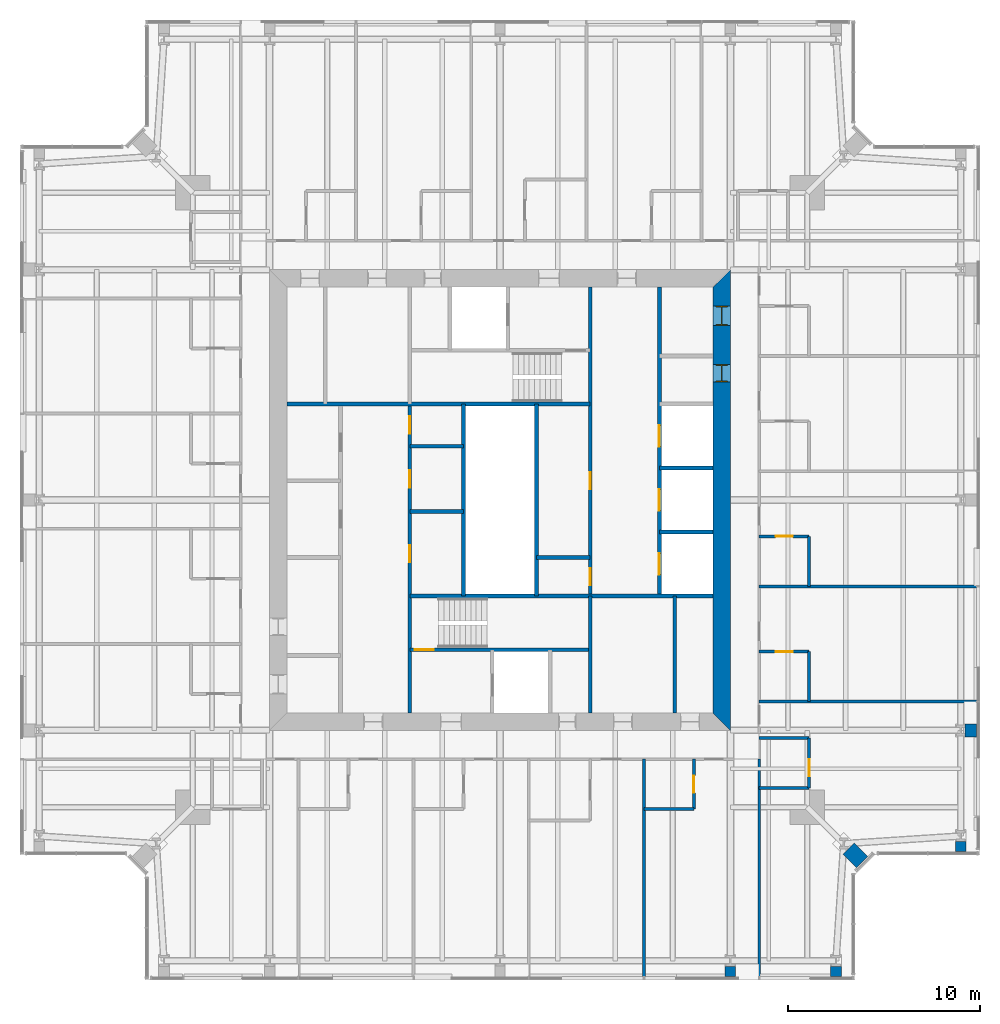
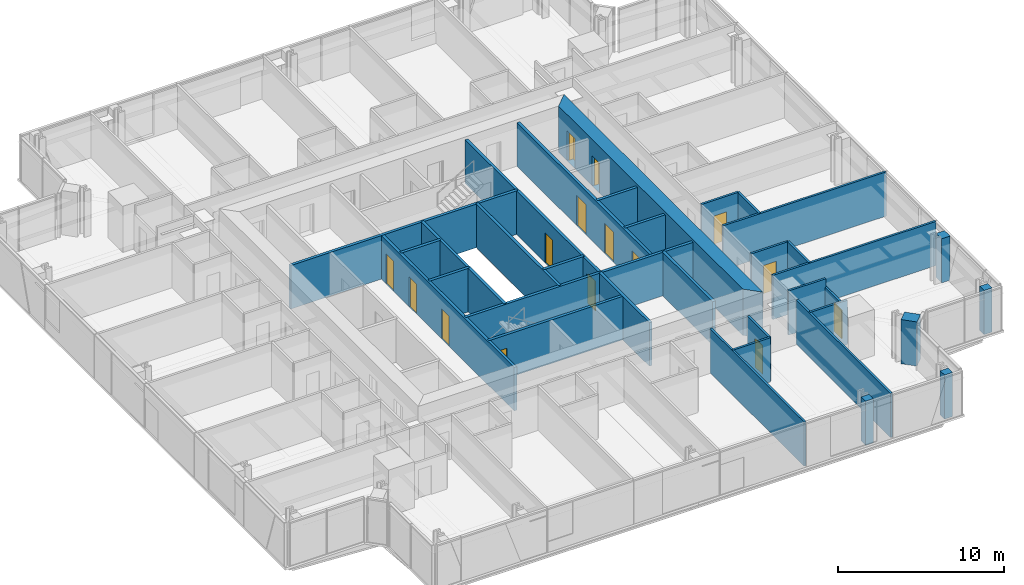
# One storey, part 13 of 20: 34 walls, 15 doors, 15 openings.
"""IFC4 building model written with IfcOpenShell, lengths in metres."""

from ifc_helpers import new_model, si_unit, direction, frame, frame_2d, origin, place, context, subcontext, project, spatial, polyline, rectangle, outline, extrude, material, layer, layer_set, type_object, element, fill, save


model = new_model("IFC4")

# Units and contexts
model_context = context("Model", 3, precision=1e-05, world=origin(), true_north=direction((0.0, 1.0)))
body_context = subcontext(model_context, "Body", "Model", "MODEL_VIEW")
ifc_project = project(units=[si_unit("LENGTHUNIT", "METRE"), si_unit("AREAUNIT", "SQUARE_METRE"), si_unit("VOLUMEUNIT", "CUBIC_METRE"), si_unit("PLANEANGLEUNIT", "RADIAN"), si_unit("MASSUNIT", "GRAM", prefix="KILO")], contexts=[model_context])

# Site, building, storey
site_placement = place(None, origin())
site = spatial("IfcSite", under=ifc_project, at=site_placement, CompositionType="ELEMENT")
building_placement = place(site_placement, origin())
building = spatial("IfcBuilding", under=site, at=building_placement, Name="Fenwick Lantern Interchange", CompositionType="ELEMENT")
storey_placement = place(building_placement, frame((0.0, 0.0, 245.800048828125)))
storey = spatial("IfcBuildingStorey", under=building, at=storey_placement, Name="L57", CompositionType="ELEMENT", Elevation=245.800048828125)

# Walls
ifc_material_1 = material(Name="Fire-rated gypsum board encasement on steel studs, 2 hour", Category="steel")
ifc_layer_1 = layer(ifc_material_1, 0.554931640625)
ifc_layer_set_1 = layer_set([ifc_layer_1], Name="COLUMN PIER 555")
wall_type_1 = type_object("IfcWallType", Name="COLUMN PIER 555", PredefinedType="PARTITIONING", material=ifc_layer_set_1)
for number, where, z_axis, x_axis, name in (
    (1, (37.0, 0.18994140625, 0.0), (0.0, 0.0, 1.0), (0.0, 1.0, 0.0), "L57/W/PIER/CS4"),
    (2, (42.5, 0.18994140625, 0.0), (0.0, 0.0, 1.0), (0.0, 1.0, 0.0), "L57/W/PIER/CS5"),
    (3, (49.0, 6.68994140625, 0.0), (0.0, 0.0, 1.0), (0.0, 1.0, 0.0), "L57/W/PIER/CE1"),
):
    element("IfcWall", number, at=place(storey_placement, frame(where, z_axis=z_axis, x_axis=x_axis)), inside=storey, type_object=wall_type_1, Name=name, PredefinedType="PARTITIONING", context=body_context, shape_type="SweptSolid", body=[
        extrude(rectangle(XDim=0.525634765625, YDim=0.554931640625, at=frame_2d((0.2626953125, 0.0))), origin(), (0.0, 0.0, 1.0), 3.25),
    ])
ifc_layer_2 = layer(ifc_material_1, 0.6689453125)
ifc_layer_set_2 = layer_set([ifc_layer_2], Name="COLUMN PIER 669")
wall_type_2 = type_object("IfcWallType", Name="COLUMN PIER 669", PredefinedType="PARTITIONING", material=ifc_layer_set_2)
wall_1_placement = place(storey_placement, frame((49.81005859375, 13.0, 0.0), z_axis=(0.0, 0.0, 1.0), x_axis=(-1.0, 0.0, 0.0)))
element("IfcWall", 4, at=wall_1_placement, inside=storey, type_object=wall_type_2, Name="L57/W/PIER/CE2", PredefinedType="PARTITIONING", context=body_context, shape_type="SweptSolid", body=[
    extrude(rectangle(XDim=0.582763671875, YDim=0.6689453125, at=frame_2d((0.29150390625, 0.0))), origin(), (0.0, 0.0, 1.0), 3.25),
])
ifc_layer_3 = layer(ifc_material_1, 0.823974609375)
ifc_layer_set_3 = layer_set([ifc_layer_3], Name="COLUMN PIER 824")
wall_type_3 = type_object("IfcWallType", Name="COLUMN PIER 824", PredefinedType="PARTITIONING", material=ifc_layer_set_3)
wall_2_placement = place(storey_placement, frame((43.86572265625, 6.13427734375, 0.0), z_axis=(0.0, 0.0, 1.0), x_axis=(-0.707106781187, 0.707106781187, 0.0)))
element("IfcWall", 5, at=wall_2_placement, inside=storey, type_object=wall_type_3, Name="L57/W/PIER/CSR", PredefinedType="PARTITIONING", context=body_context, shape_type="SweptSolid", body=[
    extrude(rectangle(XDim=1.003662109375, YDim=0.823974609375, at=frame_2d((0.501953125, 0.0))), origin(), (0.0, 0.0, 1.0), 3.25),
])
ifc_material_2 = material(Name="Concrete masonry ASTM C90 Grade N", Category="masonry")
ifc_layer_4 = layer(ifc_material_2, 0.199951171875)
ifc_layer_set_4 = layer_set([ifc_layer_4], Name="Concrete masonry ASTM C90 Grade N")
wall_type_4 = type_object("IfcWallType", Name="CORE PARTITION 200", PredefinedType="PARTITIONING", material=ifc_layer_set_4)
wall_3_placement = place(storey_placement, frame((23.10009765625, 20.0, 0.0), z_axis=(0.0, 0.0, 1.0), x_axis=(0.0, 1.0, 0.0)))
element("IfcWall", 6, at=wall_3_placement, inside=storey, type_object=wall_type_4, Name="L57/W/CORES/e3", PredefinedType="PARTITIONING", context=body_context, shape_type="SweptSolid", body=[
    extrude(rectangle(XDim=10.0, YDim=0.199951171875, at=frame_2d((5.0, 0.0))), origin(), (0.0, 0.0, 1.0), 3.199951171875),
])
wall_4_placement = place(storey_placement, frame((34.10009765625, 13.89990234375, 0.0), z_axis=(0.0, 0.0, 1.0), x_axis=(0.0, 1.0, 0.0)))
element("IfcWall", 7, at=wall_4_placement, inside=storey, type_object=wall_type_4, Name="L57/W/CORES/i2", PredefinedType="PARTITIONING", context=body_context, shape_type="SweptSolid", body=[
    extrude(rectangle(XDim=6.10009765625, YDim=0.199951171875, at=frame_2d((3.050048828125, 0.0))), origin(), (0.0, 0.0, 1.0), 3.199951171875),
])
for number, where, z_axis, x_axis, name in (
    (8, (20.300048828125, 24.39990234375, 0.0), (0.0, 0.0, 1.0), (1.0, 0.0, 0.0), "L57/W/CORES/q1"),
    (9, (20.300048828125, 27.800048828125, 0.0), (0.0, 0.0, 1.0), (1.0, 0.0, 0.0), "L57/W/CORES/q2"),
):
    element("IfcWall", number, at=place(storey_placement, frame(where, z_axis=z_axis, x_axis=x_axis)), inside=storey, type_object=wall_type_4, Name=name, PredefinedType="PARTITIONING", context=body_context, shape_type="SweptSolid", body=[
        extrude(rectangle(XDim=2.800048828125, YDim=0.199951171875, at=frame_2d((1.39990234375, 0.0))), origin(), (0.0, 0.0, 1.0), 3.199951171875),
    ])

# Wall, openings, doors
wall_5_placement = place(storey_placement, frame((33.300048828125, 36.10009765625, 0.0), z_axis=(0.0, 0.0, 1.0), x_axis=(0.0, -1.0, 0.0)))
wall_5 = element("IfcWall", 10, at=wall_5_placement, inside=storey, type_object=wall_type_4, Name="L57/W/COREN/a", PredefinedType="PARTITIONING", context=body_context, shape_type="SweptSolid", body=[
    extrude(rectangle(XDim=16.10009765625, YDim=0.199951171875, at=frame_2d((8.050048828125, 0.0))), origin(), (0.0, 0.0, 1.0), 3.199951171875),
])
opening_1_placement = place(wall_5_placement, frame((7.216552734375, 0.0, 0.0)))
opening_1 = element("IfcOpeningElement", 11, at=opening_1_placement, cuts=wall_5, Name="Opening LD-E1-1", PredefinedType="OPENING", context=body_context, shape_type="SweptSolid", body=[
    extrude(rectangle(XDim=1.10009765625, YDim=2.199951171875, at=frame_2d((0.550048828125, 1.10009765625))), frame((0.0, 0.10986328125, 0.0), z_axis=(0.0, -1.0, 0.0), x_axis=(1.0, 0.0, 0.0)), (0.0, 0.0, 1.0), 0.219970703125),
])
opening_2_placement = place(wall_5_placement, frame((10.550048828125, 0.0, 0.0)))
opening_2 = element("IfcOpeningElement", 12, at=opening_2_placement, cuts=wall_5, Name="Opening LD-E1-2", PredefinedType="OPENING", context=body_context, shape_type="SweptSolid", body=[
    extrude(rectangle(XDim=1.10009765625, YDim=2.199951171875, at=frame_2d((0.550048828125, 1.10009765625))), frame((0.0, 0.10986328125, 0.0), z_axis=(0.0, -1.0, 0.0), x_axis=(1.0, 0.0, 0.0)), (0.0, 0.0, 1.0), 0.219970703125),
])
opening_3_placement = place(wall_5_placement, frame((13.88330078125, 0.0, 0.0)))
opening_3 = element("IfcOpeningElement", 13, at=opening_3_placement, cuts=wall_5, Name="Opening LD-E1-3", PredefinedType="OPENING", context=body_context, shape_type="SweptSolid", body=[
    extrude(rectangle(XDim=1.10009765625, YDim=2.199951171875, at=frame_2d((0.550048828125, 1.10009765625))), frame((0.0, 0.10986328125, 0.0), z_axis=(0.0, -1.0, 0.0), x_axis=(1.0, 0.0, 0.0)), (0.0, 0.0, 1.0), 0.219970703125),
])
ifc_material_3 = material(Name="Steel door and frame", Category="steel")
door_type_1 = type_object("IfcDoorType", Name="LIFT LANDING DOOR 1100 X 2200", OperationType="DOUBLE_DOOR_SLIDING", PredefinedType="DOOR", material=ifc_material_3)
door_1_placement = place(opening_1_placement, origin())
door_1 = element("IfcDoor", 14, at=door_1_placement, inside=storey, type_object=door_type_1, Name="Lift landing door E1-1", OperationType="DOUBLE_DOOR_SLIDING", OverallHeight=2.199951171875, OverallWidth=1.10009765625, PredefinedType="DOOR", context=body_context, shape_type="SweptSolid", body=[
    extrude(rectangle(XDim=1.10009765625, YDim=2.199951171875, at=frame_2d((0.550048828125, 1.10009765625))), frame((0.0, 0.02490234375, 0.0), z_axis=(0.0, -1.0, 0.0), x_axis=(1.0, 0.0, 0.0)), (0.0, 0.0, 1.0), 0.050048828125),
])
fill(opening_1, door_1)
door_2_placement = place(opening_2_placement, origin())
door_2 = element("IfcDoor", 15, at=door_2_placement, inside=storey, type_object=door_type_1, Name="Lift landing door E1-2", OperationType="DOUBLE_DOOR_SLIDING", OverallHeight=2.199951171875, OverallWidth=1.10009765625, PredefinedType="DOOR", context=body_context, shape_type="SweptSolid", body=[
    extrude(rectangle(XDim=1.10009765625, YDim=2.199951171875, at=frame_2d((0.550048828125, 1.10009765625))), frame((0.0, 0.02490234375, 0.0), z_axis=(0.0, -1.0, 0.0), x_axis=(1.0, 0.0, 0.0)), (0.0, 0.0, 1.0), 0.050048828125),
])
fill(opening_2, door_2)
door_3_placement = place(opening_3_placement, origin())
door_3 = element("IfcDoor", 16, at=door_3_placement, inside=storey, type_object=door_type_1, Name="Lift landing door E1-3", OperationType="DOUBLE_DOOR_SLIDING", OverallHeight=2.199951171875, OverallWidth=1.10009765625, PredefinedType="DOOR", context=body_context, shape_type="SweptSolid", body=[
    extrude(rectangle(XDim=1.10009765625, YDim=2.199951171875, at=frame_2d((0.550048828125, 1.10009765625))), frame((0.0, 0.02490234375, 0.0), z_axis=(0.0, -1.0, 0.0), x_axis=(1.0, 0.0, 0.0)), (0.0, 0.0, 1.0), 0.050048828125),
])
fill(opening_3, door_3)

# Walls
for number, where, z_axis, x_axis, name in (
    (17, (36.10009765625, 26.666748046875, 0.0), (0.0, 0.0, 1.0), (-1.0, 0.0, 0.0), "L57/W/COREN/d1"),
    (18, (36.10009765625, 23.333251953125, 0.0), (0.0, 0.0, 1.0), (-1.0, 0.0, 0.0), "L57/W/COREN/d2"),
):
    element("IfcWall", number, at=place(storey_placement, frame(where, z_axis=z_axis, x_axis=x_axis)), inside=storey, type_object=wall_type_4, Name=name, PredefinedType="PARTITIONING", context=body_context, shape_type="SweptSolid", body=[
        extrude(rectangle(XDim=2.800048828125, YDim=0.199951171875, at=frame_2d((1.39990234375, 0.0))), origin(), (0.0, 0.0, 1.0), 3.199951171875),
    ])
wall_6_placement = place(storey_placement, frame((26.89990234375, 30.0, 0.0), z_axis=(0.0, 0.0, 1.0), x_axis=(0.0, -1.0, 0.0)))
element("IfcWall", 19, at=wall_6_placement, inside=storey, type_object=wall_type_4, Name="L57/W/COREN/e3", PredefinedType="PARTITIONING", context=body_context, shape_type="SweptSolid", body=[
    extrude(rectangle(XDim=10.0, YDim=0.199951171875, at=frame_2d((5.0, 0.0))), origin(), (0.0, 0.0, 1.0), 3.199951171875),
])
wall_7_placement = place(storey_placement, frame((29.699951171875, 22.0, 0.0), z_axis=(0.0, 0.0, 1.0), x_axis=(-1.0, 0.0, 0.0)))
element("IfcWall", 20, at=wall_7_placement, inside=storey, type_object=wall_type_4, Name="L57/W/COREN/q1", PredefinedType="PARTITIONING", context=body_context, shape_type="SweptSolid", body=[
    extrude(rectangle(XDim=2.800048828125, YDim=0.199951171875, at=frame_2d((1.39990234375, 0.0))), origin(), (0.0, 0.0, 1.0), 3.199951171875),
])

# Wall, openings, doors
ifc_material_4 = material(Name="Concrete f'c 70 MPa", Category="concrete")
ifc_layer_5 = layer(ifc_material_4, 0.89990234375)
ifc_layer_set_5 = layer_set([ifc_layer_5], Name="CORE WALL 900")
wall_type_5 = type_object("IfcWallType", Name="CORE WALL 900", PredefinedType="SHEAR", material=ifc_layer_set_5)
wall_8_placement = place(storey_placement, frame((36.550048828125, 13.89990234375, 0.0), z_axis=(0.0, 0.0, 1.0), x_axis=(0.0, 1.0, 0.0)))
wall_8 = element("IfcWall", 21, at=wall_8_placement, inside=storey, type_object=wall_type_5, Name="L57/CORE/E", PredefinedType="SHEAR", context=body_context, shape_type="SweptSolid", body=[
    extrude(outline(polyline([(-0.89990234375, -0.449951171875), (23.10009765625, -0.449951171875), (22.199951171875, 0.449951171875), (0.0, 0.449951171875), (-0.89990234375, -0.449951171875)])), origin(), (0.0, 0.0, 1.0), 3.39990234375),
])
opening_4_placement = place(wall_8_placement, frame((20.199951171875, 0.0, 0.0)))
opening_4 = element("IfcOpeningElement", 22, at=opening_4_placement, cuts=wall_8, Name="Opening L57-D020", PredefinedType="OPENING", context=body_context, shape_type="SweptSolid", body=[
    extrude(rectangle(XDim=1.0, YDim=2.199951171875, at=frame_2d((0.5, 1.10009765625))), frame((0.0, 0.4599609375, 0.0), z_axis=(0.0, -1.0, 0.0), x_axis=(1.0, 0.0, 0.0)), (0.0, 0.0, 1.0), 0.919921875),
])
opening_5_placement = place(wall_8_placement, frame((17.25, 0.0, 0.0)))
opening_5 = element("IfcOpeningElement", 23, at=opening_5_placement, cuts=wall_8, Name="Opening L57-D021", PredefinedType="OPENING", context=body_context, shape_type="SweptSolid", body=[
    extrude(rectangle(XDim=0.89990234375, YDim=2.199951171875, at=frame_2d((0.449951171875, 1.10009765625))), frame((0.0, 0.4599609375, 0.0), z_axis=(0.0, -1.0, 0.0), x_axis=(1.0, 0.0, 0.0)), (0.0, 0.0, 1.0), 0.919921875),
])
door_type_2 = type_object("IfcDoorType", Name="SERVICE DOOR 900 X 2200", OperationType="SINGLE_SWING_LEFT", PredefinedType="DOOR", material=ifc_material_3)
door_4_placement = place(opening_5_placement, origin())
door_4 = element("IfcDoor", 24, at=door_4_placement, inside=storey, type_object=door_type_2, Name="Service door", OperationType="SINGLE_SWING_RIGHT", OverallHeight=2.199951171875, OverallWidth=0.89990234375, PredefinedType="DOOR", context=body_context, shape_type="SweptSolid", body=[
    extrude(rectangle(XDim=0.89990234375, YDim=2.199951171875, at=frame_2d((0.449951171875, 1.10009765625))), frame((0.0, 0.02490234375, 0.0), z_axis=(0.0, -1.0, 0.0), x_axis=(1.0, 0.0, 0.0)), (0.0, 0.0, 1.0), 0.050048828125),
    extrude(outline(polyline([(0.0, 0.0), (0.0400390625, 0.0), (0.0400390625, 2.159912109375), (0.85986328125, 2.159912109375), (0.85986328125, 0.0), (0.89990234375, 0.0), (0.89990234375, 2.199951171875), (0.0, 2.199951171875), (0.0, 0.0)])), frame((0.0, 0.300048828125, 0.0), z_axis=(0.0, -1.0, 0.0), x_axis=(1.0, 0.0, 0.0)), (0.0, 0.0, 1.0), 0.60009765625),
])
fill(opening_5, door_4)
ifc_material_5 = material(Name="Hardwood door and steel frame", Category="steel")
door_type_3 = type_object("IfcDoorType", Name="WC DOOR 1000 X 2200", OperationType="SINGLE_SWING_LEFT", PredefinedType="DOOR", material=ifc_material_5)
door_5_placement = place(opening_4_placement, origin())
door_5 = element("IfcDoor", 25, at=door_5_placement, inside=storey, type_object=door_type_3, Name="Wc door", OperationType="SINGLE_SWING_RIGHT", OverallHeight=2.199951171875, OverallWidth=1.0, PredefinedType="DOOR", context=body_context, shape_type="SweptSolid", body=[
    extrude(rectangle(XDim=1.0, YDim=2.199951171875, at=frame_2d((0.5, 1.10009765625))), frame((0.0, 0.02490234375, 0.0), z_axis=(0.0, -1.0, 0.0), x_axis=(1.0, 0.0, 0.0)), (0.0, 0.0, 1.0), 0.050048828125),
    extrude(outline(polyline([(0.0, 0.0), (0.0400390625, 0.0), (0.0400390625, 2.159912109375), (0.9599609375, 2.159912109375), (0.9599609375, 0.0), (1.0, 0.0), (1.0, 2.199951171875), (0.0, 2.199951171875), (0.0, 0.0)])), frame((0.0, 0.300048828125, 0.0), z_axis=(0.0, -1.0, 0.0), x_axis=(1.0, 0.0, 0.0)), (0.0, 0.0, 1.0), 0.60009765625),
])
fill(opening_4, door_5)

# Wall
ifc_material_6 = material(Name="Gypsum board on steel studs, moisture resistant", Category="steel")
ifc_layer_6 = layer(ifc_material_6, 0.14990234375)
ifc_layer_set_6 = layer_set([ifc_layer_6], Name="EN-SUITE WALL 150")
wall_type_6 = type_object("IfcWallType", Name="EN-SUITE WALL 150", PredefinedType="PARTITIONING", material=ifc_layer_set_6)
wall_9_placement = place(storey_placement, frame((32.5, 8.89990234375, 0.0), z_axis=(0.0, 0.0, 1.0), x_axis=(1.0, 0.0, 0.0)))
element("IfcWall", 26, at=wall_9_placement, inside=storey, type_object=wall_type_6, Name="L57/W/HOTEL/S/U5BW", PredefinedType="PARTITIONING", context=body_context, shape_type="SweptSolid", body=[
    extrude(rectangle(XDim=2.60009765625, YDim=0.14990234375, at=frame_2d((1.300048828125, 0.0))), origin(), (0.0, 0.0, 1.0), 3.25),
])

# Wall, opening, door
wall_10_placement = place(storey_placement, frame((35.10009765625, 8.89990234375, 0.0), z_axis=(0.0, 0.0, 1.0), x_axis=(0.0, 1.0, 0.0)))
wall_10 = element("IfcWall", 27, at=wall_10_placement, inside=storey, type_object=wall_type_6, Name="L57/W/HOTEL/S/U5BX", PredefinedType="PARTITIONING", context=body_context, shape_type="SweptSolid", body=[
    extrude(rectangle(XDim=2.60009765625, YDim=0.14990234375, at=frame_2d((1.300048828125, 0.0))), origin(), (0.0, 0.0, 1.0), 3.25),
])
opening_6_placement = place(wall_10_placement, frame((0.85009765625, 0.0, 0.0)))
opening_6 = element("IfcOpeningElement", 28, at=opening_6_placement, cuts=wall_10, Name="Opening L57-D032", PredefinedType="OPENING", context=body_context, shape_type="SweptSolid", body=[
    extrude(rectangle(XDim=0.89990234375, YDim=2.10009765625, at=frame_2d((0.449951171875, 1.050048828125))), frame((0.0, 0.0849609375, 0.0), z_axis=(0.0, -1.0, 0.0), x_axis=(1.0, 0.0, 0.0)), (0.0, 0.0, 1.0), 0.169921875),
])
door_type_4 = type_object("IfcDoorType", Name="EN-SUITE DOOR 900 X 2100", OperationType="SINGLE_SWING_LEFT", PredefinedType="DOOR", material=ifc_material_5)
door_6_placement = place(opening_6_placement, origin())
door_6 = element("IfcDoor", 29, at=door_6_placement, inside=storey, type_object=door_type_4, Name="En-suite door", OperationType="SINGLE_SWING_LEFT", OverallHeight=2.10009765625, OverallWidth=0.89990234375, PredefinedType="DOOR", context=body_context, shape_type="SweptSolid", body=[
    extrude(rectangle(XDim=0.89990234375, YDim=2.10009765625, at=frame_2d((0.449951171875, 1.050048828125))), frame((0.0, 0.02490234375, 0.0), z_axis=(0.0, -1.0, 0.0), x_axis=(1.0, 0.0, 0.0)), (0.0, 0.0, 1.0), 0.050048828125),
])
fill(opening_6, door_6)

wall_11_placement = place(storey_placement, frame((41.10009765625, 10.0, 0.0), z_axis=(0.0, 0.0, 1.0), x_axis=(0.0, 1.0, 0.0)))
wall_11 = element("IfcWall", 30, at=wall_11_placement, inside=storey, type_object=wall_type_6, Name="L57/W/HOTEL/E/U1BW", PredefinedType="PARTITIONING", context=body_context, shape_type="SweptSolid", body=[
    extrude(rectangle(XDim=2.60009765625, YDim=0.14990234375, at=frame_2d((1.300048828125, 0.0))), origin(), (0.0, 0.0, 1.0), 2.6376953125),
])
opening_7_placement = place(wall_11_placement, frame((0.60009765625, 0.0, 0.0)))
opening_7 = element("IfcOpeningElement", 31, at=opening_7_placement, cuts=wall_11, Name="Opening L57-D035", PredefinedType="OPENING", context=body_context, shape_type="SweptSolid", body=[
    extrude(rectangle(XDim=0.89990234375, YDim=2.10009765625, at=frame_2d((0.449951171875, 1.050048828125))), frame((0.0, 0.0849609375, 0.0), z_axis=(0.0, -1.0, 0.0), x_axis=(1.0, 0.0, 0.0)), (0.0, 0.0, 1.0), 0.169921875),
])
door_7_placement = place(opening_7_placement, origin())
door_7 = element("IfcDoor", 32, at=door_7_placement, inside=storey, type_object=door_type_4, Name="En-suite door", OperationType="SINGLE_SWING_LEFT", OverallHeight=2.10009765625, OverallWidth=0.89990234375, PredefinedType="DOOR", context=body_context, shape_type="SweptSolid", body=[
    extrude(rectangle(XDim=0.89990234375, YDim=2.10009765625, at=frame_2d((0.449951171875, 1.050048828125))), frame((0.0, 0.02490234375, 0.0), z_axis=(0.0, -1.0, 0.0), x_axis=(1.0, 0.0, 0.0)), (0.0, 0.0, 1.0), 0.050048828125),
])
fill(opening_7, door_7)

# Walls
for number, where, z_axis, x_axis, name in (
    (33, (41.10009765625, 10.0, 0.0), (0.0, 0.0, 1.0), (-1.0, 0.0, 0.0), "L57/W/HOTEL/E/U1BX"),
    (34, (41.10009765625, 12.60009765625, 0.0), (0.0, 0.0, 1.0), (-1.0, 0.0, 0.0), "L57/W/HOTEL/E/U1BE"),
    (35, (41.10009765625, 14.5, 0.0), (0.0, 0.0, 1.0), (0.0, 1.0, 0.0), "L57/W/HOTEL/E/U2BW"),
):
    element("IfcWall", number, at=place(storey_placement, frame(where, z_axis=z_axis, x_axis=x_axis)), inside=storey, type_object=wall_type_6, Name=name, PredefinedType="PARTITIONING", context=body_context, shape_type="SweptSolid", body=[
        extrude(rectangle(XDim=2.60009765625, YDim=0.14990234375, at=frame_2d((1.300048828125, 0.0))), origin(), (0.0, 0.0, 1.0), 3.25),
    ])

# Wall, opening, door
wall_12_placement = place(storey_placement, frame((41.10009765625, 17.10009765625, 0.0), z_axis=(0.0, 0.0, 1.0), x_axis=(-1.0, 0.0, 0.0)))
wall_12 = element("IfcWall", 36, at=wall_12_placement, inside=storey, type_object=wall_type_6, Name="L57/W/HOTEL/E/U2BX", PredefinedType="PARTITIONING", context=body_context, shape_type="SweptSolid", body=[
    extrude(rectangle(XDim=2.60009765625, YDim=0.14990234375, at=frame_2d((1.300048828125, 0.0))), origin(), (0.0, 0.0, 1.0), 3.25),
])
opening_8_placement = place(wall_12_placement, frame((0.85009765625, 0.0, 0.0)))
opening_8 = element("IfcOpeningElement", 37, at=opening_8_placement, cuts=wall_12, Name="Opening L57-D036", PredefinedType="OPENING", context=body_context, shape_type="SweptSolid", body=[
    extrude(rectangle(XDim=0.89990234375, YDim=2.10009765625, at=frame_2d((0.449951171875, 1.050048828125))), frame((0.0, 0.0849609375, 0.0), z_axis=(0.0, -1.0, 0.0), x_axis=(1.0, 0.0, 0.0)), (0.0, 0.0, 1.0), 0.169921875),
])
door_8_placement = place(opening_8_placement, origin())
door_8 = element("IfcDoor", 38, at=door_8_placement, inside=storey, type_object=door_type_4, Name="En-suite door", OperationType="SINGLE_SWING_LEFT", OverallHeight=2.10009765625, OverallWidth=0.89990234375, PredefinedType="DOOR", context=body_context, shape_type="SweptSolid", body=[
    extrude(rectangle(XDim=0.89990234375, YDim=2.10009765625, at=frame_2d((0.449951171875, 1.050048828125))), frame((0.0, 0.02490234375, 0.0), z_axis=(0.0, -1.0, 0.0), x_axis=(1.0, 0.0, 0.0)), (0.0, 0.0, 1.0), 0.050048828125),
])
fill(opening_8, door_8)

# Wall
wall_13_placement = place(storey_placement, frame((41.10009765625, 20.5, 0.0), z_axis=(0.0, 0.0, 1.0), x_axis=(0.0, 1.0, 0.0)))
element("IfcWall", 39, at=wall_13_placement, inside=storey, type_object=wall_type_6, Name="L57/W/HOTEL/E/U3BW", PredefinedType="PARTITIONING", context=body_context, shape_type="SweptSolid", body=[
    extrude(rectangle(XDim=2.60009765625, YDim=0.14990234375, at=frame_2d((1.300048828125, 0.0))), origin(), (0.0, 0.0, 1.0), 3.25),
])

# Wall, opening, door
wall_14_placement = place(storey_placement, frame((41.10009765625, 23.10009765625, 0.0), z_axis=(0.0, 0.0, 1.0), x_axis=(-1.0, 0.0, 0.0)))
wall_14 = element("IfcWall", 40, at=wall_14_placement, inside=storey, type_object=wall_type_6, Name="L57/W/HOTEL/E/U3BX", PredefinedType="PARTITIONING", context=body_context, shape_type="SweptSolid", body=[
    extrude(rectangle(XDim=2.60009765625, YDim=0.14990234375, at=frame_2d((1.300048828125, 0.0))), origin(), (0.0, 0.0, 1.0), 3.25),
])
opening_9_placement = place(wall_14_placement, frame((0.85009765625, 0.0, 0.0)))
opening_9 = element("IfcOpeningElement", 41, at=opening_9_placement, cuts=wall_14, Name="Opening L57-D038", PredefinedType="OPENING", context=body_context, shape_type="SweptSolid", body=[
    extrude(rectangle(XDim=0.89990234375, YDim=2.10009765625, at=frame_2d((0.449951171875, 1.050048828125))), frame((0.0, 0.0849609375, 0.0), z_axis=(0.0, -1.0, 0.0), x_axis=(1.0, 0.0, 0.0)), (0.0, 0.0, 1.0), 0.169921875),
])
door_9_placement = place(opening_9_placement, origin())
door_9 = element("IfcDoor", 42, at=door_9_placement, inside=storey, type_object=door_type_4, Name="En-suite door", OperationType="SINGLE_SWING_LEFT", OverallHeight=2.10009765625, OverallWidth=0.89990234375, PredefinedType="DOOR", context=body_context, shape_type="SweptSolid", body=[
    extrude(rectangle(XDim=0.89990234375, YDim=2.10009765625, at=frame_2d((0.449951171875, 1.050048828125))), frame((0.0, 0.02490234375, 0.0), z_axis=(0.0, -1.0, 0.0), x_axis=(1.0, 0.0, 0.0)), (0.0, 0.0, 1.0), 0.050048828125),
])
fill(opening_9, door_9)

# Walls
ifc_material_7 = material(Name="Gypsum board on steel studs, 1 hour acoustic", Category="steel")
ifc_layer_7 = layer(ifc_material_7, 0.14990234375)
ifc_layer_set_7 = layer_set([ifc_layer_7], Name="PARTY WALL 150")
wall_type_7 = type_object("IfcWallType", Name="PARTY WALL 150", PredefinedType="PARTITIONING", material=ifc_layer_set_7)
for number, where, z_axis, x_axis, name in (
    (43, (32.5, 0.14990234375, 0.0), (0.0, 0.0, 1.0), (0.0, 1.0, 0.0), "L57/W/HOTEL/S/U5PW"),
    (44, (38.5, 0.14990234375, 0.0), (0.0, 0.0, 1.0), (0.0, 1.0, 0.0), "L57/W/HOTEL/E/SW3"),
    (45, (49.85009765625, 14.5, 0.0), (0.0, 0.0, 1.0), (-1.0, 0.0, 0.0), "L57/W/HOTEL/E/U2PW"),
    (46, (49.85009765625, 20.5, 0.0), (0.0, 0.0, 1.0), (-1.0, 0.0, 0.0), "L57/W/HOTEL/E/U3PW"),
):
    element("IfcWall", number, at=place(storey_placement, frame(where, z_axis=z_axis, x_axis=x_axis)), inside=storey, type_object=wall_type_7, Name=name, PredefinedType="PARTITIONING", context=body_context, shape_type="SweptSolid", body=[
        extrude(rectangle(XDim=11.35009765625, YDim=0.14990234375, at=frame_2d((5.675048828125, 0.0))), origin(), (0.0, 0.0, 1.0), 3.25),
    ])

# Wall, openings, doors
ifc_material_8 = material(Name="Concrete f'c 45 MPa", Category="concrete")
ifc_layer_8 = layer(ifc_material_8, 0.199951171875)
ifc_layer_set_8 = layer_set([ifc_layer_8], Name="STAIR CORE WALL 200")
wall_type_8 = type_object("IfcWallType", Name="STAIR CORE WALL 200", PredefinedType="SOLIDWALL", material=ifc_layer_set_8)
wall_15_placement = place(storey_placement, frame((20.300048828125, 13.89990234375, 0.0), z_axis=(0.0, 0.0, 1.0), x_axis=(0.0, 1.0, 0.0)))
wall_15 = element("IfcWall", 47, at=wall_15_placement, inside=storey, type_object=wall_type_8, Name="L57/W/CORES/b", PredefinedType="SOLIDWALL", context=body_context, shape_type="SweptSolid", body=[
    extrude(rectangle(XDim=16.10009765625, YDim=0.199951171875, at=frame_2d((8.050048828125, 0.0))), origin(), (0.0, 0.0, 1.0), 3.199951171875),
])
opening_10_placement = place(wall_15_placement, frame((7.85009765625, 0.0, 0.0)))
opening_10 = element("IfcOpeningElement", 48, at=opening_10_placement, cuts=wall_15, Name="Opening L57-D011", PredefinedType="OPENING", context=body_context, shape_type="SweptSolid", body=[
    extrude(rectangle(XDim=0.89990234375, YDim=2.199951171875, at=frame_2d((0.449951171875, 1.10009765625))), frame((0.0, 0.10986328125, 0.0), z_axis=(0.0, -1.0, 0.0), x_axis=(1.0, 0.0, 0.0)), (0.0, 0.0, 1.0), 0.219970703125),
])
opening_11_placement = place(wall_15_placement, frame((11.75, 0.0, 0.0)))
opening_11 = element("IfcOpeningElement", 49, at=opening_11_placement, cuts=wall_15, Name="Opening L57-D012", PredefinedType="OPENING", context=body_context, shape_type="SweptSolid", body=[
    extrude(rectangle(XDim=0.89990234375, YDim=2.199951171875, at=frame_2d((0.449951171875, 1.10009765625))), frame((0.0, 0.10986328125, 0.0), z_axis=(0.0, -1.0, 0.0), x_axis=(1.0, 0.0, 0.0)), (0.0, 0.0, 1.0), 0.219970703125),
])
opening_12_placement = place(wall_15_placement, frame((14.550048828125, 0.0, 0.0)))
opening_12 = element("IfcOpeningElement", 50, at=opening_12_placement, cuts=wall_15, Name="Opening L57-D013", PredefinedType="OPENING", context=body_context, shape_type="SweptSolid", body=[
    extrude(rectangle(XDim=0.89990234375, YDim=2.199951171875, at=frame_2d((0.449951171875, 1.10009765625))), frame((0.0, 0.10986328125, 0.0), z_axis=(0.0, -1.0, 0.0), x_axis=(1.0, 0.0, 0.0)), (0.0, 0.0, 1.0), 0.219970703125),
])
door_10_placement = place(opening_10_placement, frame((0.89990234375, 0.0, 0.0), z_axis=(0.0, 0.0, 1.0), x_axis=(-1.0, 0.0, 0.0)))
door_10 = element("IfcDoor", 51, at=door_10_placement, inside=storey, type_object=door_type_2, Name="Service door", OperationType="SINGLE_SWING_RIGHT", OverallHeight=2.199951171875, OverallWidth=0.89990234375, PredefinedType="DOOR", context=body_context, shape_type="SweptSolid", body=[
    extrude(rectangle(XDim=0.89990234375, YDim=2.199951171875, at=frame_2d((0.449951171875, 1.10009765625))), frame((0.0, 0.02490234375, 0.0), z_axis=(0.0, -1.0, 0.0), x_axis=(1.0, 0.0, 0.0)), (0.0, 0.0, 1.0), 0.050048828125),
])
fill(opening_10, door_10)
door_11_placement = place(opening_11_placement, frame((0.89990234375, 0.0, 0.0), z_axis=(0.0, 0.0, 1.0), x_axis=(-1.0, 0.0, 0.0)))
door_11 = element("IfcDoor", 52, at=door_11_placement, inside=storey, type_object=door_type_2, Name="Service door", OperationType="SINGLE_SWING_RIGHT", OverallHeight=2.199951171875, OverallWidth=0.89990234375, PredefinedType="DOOR", context=body_context, shape_type="SweptSolid", body=[
    extrude(rectangle(XDim=0.89990234375, YDim=2.199951171875, at=frame_2d((0.449951171875, 1.10009765625))), frame((0.0, 0.02490234375, 0.0), z_axis=(0.0, -1.0, 0.0), x_axis=(1.0, 0.0, 0.0)), (0.0, 0.0, 1.0), 0.050048828125),
])
fill(opening_11, door_11)
door_12_placement = place(opening_12_placement, frame((0.89990234375, 0.0, 0.0), z_axis=(0.0, 0.0, 1.0), x_axis=(-1.0, 0.0, 0.0)))
door_12 = element("IfcDoor", 53, at=door_12_placement, inside=storey, type_object=door_type_2, Name="Service door", OperationType="SINGLE_SWING_RIGHT", OverallHeight=2.199951171875, OverallWidth=0.89990234375, PredefinedType="DOOR", context=body_context, shape_type="SweptSolid", body=[
    extrude(rectangle(XDim=0.89990234375, YDim=2.199951171875, at=frame_2d((0.449951171875, 1.10009765625))), frame((0.0, 0.02490234375, 0.0), z_axis=(0.0, -1.0, 0.0), x_axis=(1.0, 0.0, 0.0)), (0.0, 0.0, 1.0), 0.050048828125),
])
fill(opening_12, door_12)

# Wall, opening, door
wall_16_placement = place(storey_placement, frame((20.300048828125, 17.199951171875, 0.0), z_axis=(0.0, 0.0, 1.0), x_axis=(1.0, 0.0, 0.0)))
wall_16 = element("IfcWall", 54, at=wall_16_placement, inside=storey, type_object=wall_type_8, Name="L57/W/CORES/g1", PredefinedType="SOLIDWALL", context=body_context, shape_type="SweptSolid", body=[
    extrude(rectangle(XDim=9.39990234375, YDim=0.199951171875, at=frame_2d((4.699951171875, 0.0))), origin(), (0.0, 0.0, 1.0), 3.199951171875),
])
opening_13_placement = place(wall_16_placement, frame((0.25, 0.0, 0.0)))
opening_13 = element("IfcOpeningElement", 55, at=opening_13_placement, cuts=wall_16, Name="Opening L57-D003", PredefinedType="OPENING", context=body_context, shape_type="SweptSolid", body=[
    extrude(rectangle(XDim=1.0, YDim=2.199951171875, at=frame_2d((0.5, 1.10009765625))), frame((0.0, 0.10986328125, 0.0), z_axis=(0.0, -1.0, 0.0), x_axis=(1.0, 0.0, 0.0)), (0.0, 0.0, 1.0), 0.219970703125),
])
door_type_5 = type_object("IfcDoorType", Name="STAIR DOOR 1000 X 2200", OperationType="SINGLE_SWING_LEFT", PredefinedType="DOOR", material=ifc_material_3)
door_13_placement = place(opening_13_placement, origin())
door_13 = element("IfcDoor", 56, at=door_13_placement, inside=storey, type_object=door_type_5, Name="Stair door", OperationType="SINGLE_SWING_LEFT", OverallHeight=2.199951171875, OverallWidth=1.0, PredefinedType="DOOR", context=body_context, shape_type="SweptSolid", body=[
    extrude(rectangle(XDim=1.0, YDim=2.199951171875, at=frame_2d((0.5, 1.10009765625))), frame((0.0, 0.02490234375, 0.0), z_axis=(0.0, -1.0, 0.0), x_axis=(1.0, 0.0, 0.0)), (0.0, 0.0, 1.0), 0.050048828125),
])
fill(opening_13, door_13)

# Walls
wall_17_placement = place(storey_placement, frame((20.300048828125, 20.0, 0.0), z_axis=(0.0, 0.0, 1.0), x_axis=(1.0, 0.0, 0.0)))
element("IfcWall", 57, at=wall_17_placement, inside=storey, type_object=wall_type_8, Name="L57/W/CORES/g2", PredefinedType="SOLIDWALL", context=body_context, shape_type="SweptSolid", body=[
    extrude(rectangle(XDim=15.800048828125, YDim=0.199951171875, at=frame_2d((7.89990234375, 0.0))), origin(), (0.0, 0.0, 1.0), 3.199951171875),
])
wall_18_placement = place(storey_placement, frame((29.699951171875, 13.89990234375, 0.0), z_axis=(0.0, 0.0, 1.0), x_axis=(0.0, 1.0, 0.0)))
element("IfcWall", 58, at=wall_18_placement, inside=storey, type_object=wall_type_8, Name="L57/W/CORES/i1", PredefinedType="SOLIDWALL", context=body_context, shape_type="SweptSolid", body=[
    extrude(rectangle(XDim=6.10009765625, YDim=0.199951171875, at=frame_2d((3.050048828125, 0.0))), origin(), (0.0, 0.0, 1.0), 3.199951171875),
])

# Wall, openings, doors
wall_19_placement = place(storey_placement, frame((29.699951171875, 36.10009765625, 0.0), z_axis=(0.0, 0.0, 1.0), x_axis=(0.0, -1.0, 0.0)))
wall_19 = element("IfcWall", 59, at=wall_19_placement, inside=storey, type_object=wall_type_8, Name="L57/W/COREN/b", PredefinedType="SOLIDWALL", context=body_context, shape_type="SweptSolid", body=[
    extrude(rectangle(XDim=16.10009765625, YDim=0.199951171875, at=frame_2d((8.050048828125, 0.0))), origin(), (0.0, 0.0, 1.0), 3.199951171875),
])
opening_14_placement = place(wall_19_placement, frame((9.64990234375, 0.0, 0.0)))
opening_14 = element("IfcOpeningElement", 60, at=opening_14_placement, cuts=wall_19, Name="Opening L57-D022", PredefinedType="OPENING", context=body_context, shape_type="SweptSolid", body=[
    extrude(rectangle(XDim=0.89990234375, YDim=2.199951171875, at=frame_2d((0.449951171875, 1.10009765625))), frame((0.0, 0.10986328125, 0.0), z_axis=(0.0, -1.0, 0.0), x_axis=(1.0, 0.0, 0.0)), (0.0, 0.0, 1.0), 0.219970703125),
])
opening_15_placement = place(wall_19_placement, frame((14.64990234375, 0.0, 0.0)))
opening_15 = element("IfcOpeningElement", 61, at=opening_15_placement, cuts=wall_19, Name="Opening L57-D023", PredefinedType="OPENING", context=body_context, shape_type="SweptSolid", body=[
    extrude(rectangle(XDim=0.89990234375, YDim=2.199951171875, at=frame_2d((0.449951171875, 1.10009765625))), frame((0.0, 0.10986328125, 0.0), z_axis=(0.0, -1.0, 0.0), x_axis=(1.0, 0.0, 0.0)), (0.0, 0.0, 1.0), 0.219970703125),
])
door_14_placement = place(opening_14_placement, frame((0.89990234375, 0.0, 0.0), z_axis=(0.0, 0.0, 1.0), x_axis=(-1.0, 0.0, 0.0)))
door_14 = element("IfcDoor", 62, at=door_14_placement, inside=storey, type_object=door_type_2, Name="Service door", OperationType="SINGLE_SWING_RIGHT", OverallHeight=2.199951171875, OverallWidth=0.89990234375, PredefinedType="DOOR", context=body_context, shape_type="SweptSolid", body=[
    extrude(rectangle(XDim=0.89990234375, YDim=2.199951171875, at=frame_2d((0.449951171875, 1.10009765625))), frame((0.0, 0.02490234375, 0.0), z_axis=(0.0, -1.0, 0.0), x_axis=(1.0, 0.0, 0.0)), (0.0, 0.0, 1.0), 0.050048828125),
])
fill(opening_14, door_14)
door_15_placement = place(opening_15_placement, frame((0.89990234375, 0.0, 0.0), z_axis=(0.0, 0.0, 1.0), x_axis=(-1.0, 0.0, 0.0)))
door_15 = element("IfcDoor", 63, at=door_15_placement, inside=storey, type_object=door_type_2, Name="Service door", OperationType="SINGLE_SWING_RIGHT", OverallHeight=2.199951171875, OverallWidth=0.89990234375, PredefinedType="DOOR", context=body_context, shape_type="SweptSolid", body=[
    extrude(rectangle(XDim=0.89990234375, YDim=2.199951171875, at=frame_2d((0.449951171875, 1.10009765625))), frame((0.0, 0.02490234375, 0.0), z_axis=(0.0, -1.0, 0.0), x_axis=(1.0, 0.0, 0.0)), (0.0, 0.0, 1.0), 0.050048828125),
])
fill(opening_15, door_15)

# Wall
wall_20_placement = place(storey_placement, frame((29.699951171875, 30.0, 0.0), z_axis=(0.0, 0.0, 1.0), x_axis=(-1.0, 0.0, 0.0)))
element("IfcWall", 64, at=wall_20_placement, inside=storey, type_object=wall_type_8, Name="L57/W/COREN/g2", PredefinedType="SOLIDWALL", context=body_context, shape_type="SweptSolid", body=[
    extrude(rectangle(XDim=15.800048828125, YDim=0.199951171875, at=frame_2d((7.89990234375, 0.0))), origin(), (0.0, 0.0, 1.0), 3.199951171875),
])

save(model, "model.ifc")
